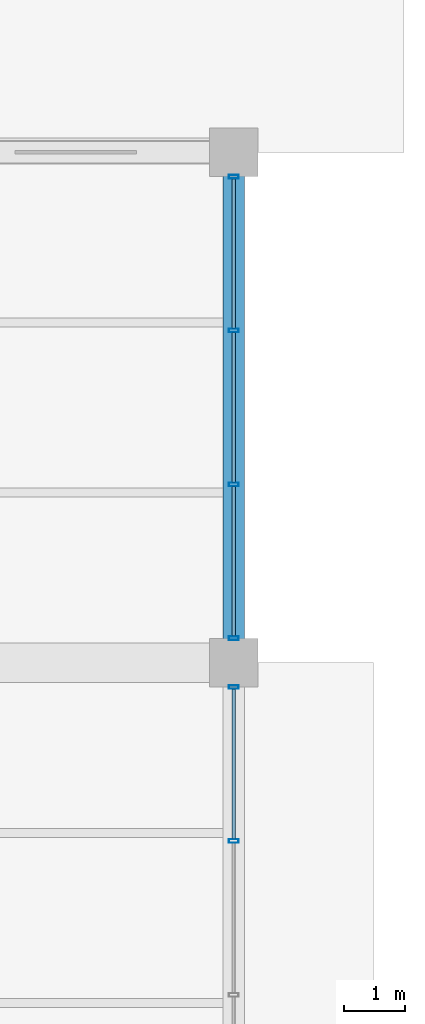
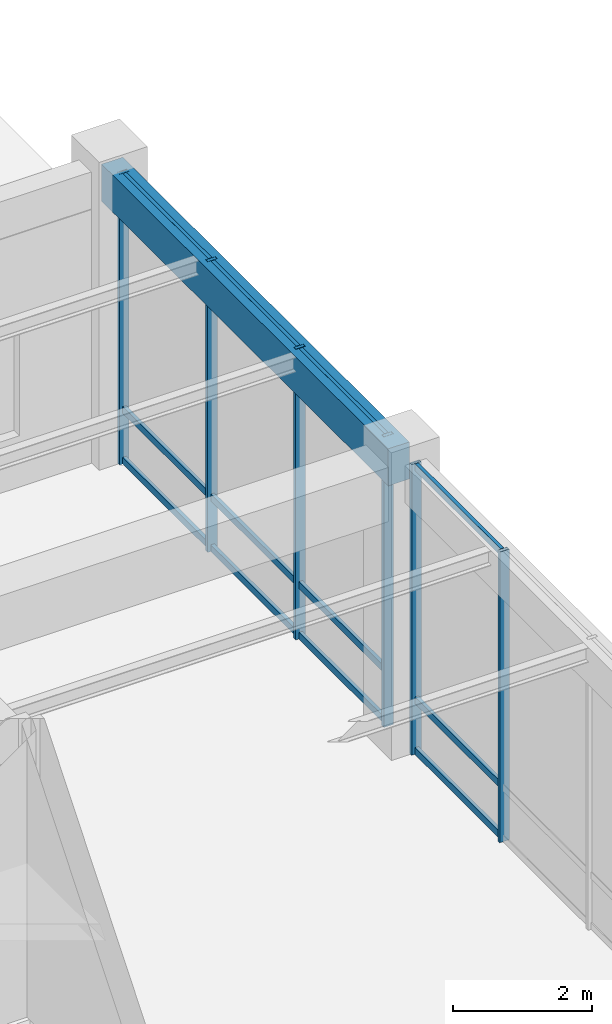
# One storey, part 91 of 157: 18 members, 1 beam, 2 elements without a shape of their own.
"""IFC4 building model written with IfcOpenShell, lengths in metres."""

from ifc_helpers import new_model, si_unit, direction, frame, origin, origin_2d, place, context, subcontext, project, spatial, rectangle, hollow_rectangle, extrude, material, material_profile, profile_set, type_object, element, aggregate, save


model = new_model("IFC4")

# Units and contexts
model_context = context("Model", 3, precision=1e-05, world=origin(), true_north=direction((0.0, 1.0)))
body_context = subcontext(model_context, "Body", "Model", "MODEL_VIEW")
ifc_project = project(units=[si_unit("LENGTHUNIT", "METRE"), si_unit("AREAUNIT", "SQUARE_METRE"), si_unit("VOLUMEUNIT", "CUBIC_METRE"), si_unit("PLANEANGLEUNIT", "RADIAN"), si_unit("MASSUNIT", "GRAM", prefix="KILO"), si_unit("THERMODYNAMICTEMPERATUREUNIT", "KELVIN"), si_unit("POWERUNIT", "WATT")], contexts=[model_context])

# Site, building, storey
site_placement = place(None, origin())
site = spatial("IfcSite", under=ifc_project, at=site_placement, CompositionType="ELEMENT")
building_placement = place(site_placement, origin())
building = spatial("IfcBuilding", under=site, at=building_placement, Name="Darbajah Civic Hall", CompositionType="ELEMENT")
storey_placement = place(building_placement, origin())
storey = spatial("IfcBuildingStorey", under=building, at=storey_placement, Name="L00", CompositionType="ELEMENT", Elevation=0.0)

# Curtain wall, members
ifc_material_1 = material(Name="Anodised Bronze Aluminium and Low-E Glazing", Category="aluminium")
curtain_wall_type = type_object("IfcCurtainWallType", Name="Unitised Curtain Wall CW-17 7600x5100", PredefinedType="USERDEFINED", material=ifc_material_1)
curtain_wall_1_placement = place(storey_placement, origin())
curtain_wall_1 = element("IfcCurtainWall", 1, at=curtain_wall_1_placement, inside=storey, type_object=curtain_wall_type, Name="L00 unitised curtain wall CW-V3-L00-S1-B3", ObjectType="UNITISED CURTAIN WALL", PredefinedType="USERDEFINED")
ifc_material_2 = material(Name="Anodised Bronze Aluminium", Category="aluminium")
ifc_material_profile_1 = material_profile(ifc_material_2, hollow_rectangle(XDim=0.06005859375, YDim=0.159912109375, WallThickness=0.00341796875, at=origin_2d()), Name="ALU MULLION 60x160")
ifc_profile_set_1 = profile_set([ifc_material_profile_1], Name="Anodised Bronze Aluminium")
member_type_1 = type_object("IfcMemberType", Name="ALU MULLION 60x160", PredefinedType="MULLION", material=ifc_profile_set_1)
member_1_placement = place(storey_placement, frame((178.199951171875, 30.666015625, 0.0), z_axis=(0.0, 0.0, 1.0), x_axis=(0.0, 1.0, 0.0)))
member_1 = element("IfcMember", 2, at=member_1_placement, type_object=member_type_1, Name="CW-V3-L00-S1-B3 mullion 3", PredefinedType="MULLION", context=body_context, shape_type="SweptSolid", body=[
    extrude(hollow_rectangle(XDim=0.06005859375, YDim=0.159912109375, WallThickness=0.00341796875, at=origin_2d()), origin(), (0.0, 0.0, 1.0), 5.10009765625),
])
member_2_placement = place(storey_placement, frame((178.199951171875, 33.197998046875, 0.0), z_axis=(0.0, 0.0, 1.0), x_axis=(0.0, 1.0, 0.0)))
member_2 = element("IfcMember", 3, at=member_2_placement, type_object=member_type_1, Name="CW-V3-L00-S1-B3 mullion 4", PredefinedType="MULLION", context=body_context, shape_type="SweptSolid", body=[
    extrude(hollow_rectangle(XDim=0.06005859375, YDim=0.159912109375, WallThickness=0.00341796875, at=origin_2d()), origin(), (0.0, 0.0, 1.0), 5.10009765625),
])

curtain_wall_2_placement = place(storey_placement, origin())
curtain_wall_2 = element("IfcCurtainWall", 4, at=curtain_wall_2_placement, inside=storey, type_object=curtain_wall_type, Name="L00 unitised curtain wall CW-V3-L00-S1-B4", ObjectType="UNITISED CURTAIN WALL", PredefinedType="USERDEFINED")
member_3_placement = place(storey_placement, frame((178.199951171875, 34.001953125, 0.0), z_axis=(0.0, 0.0, 1.0), x_axis=(0.0, 1.0, 0.0)))
member_3 = element("IfcMember", 5, at=member_3_placement, type_object=member_type_1, Name="CW-V3-L00-S1-B4 mullion 1", PredefinedType="MULLION", context=body_context, shape_type="SweptSolid", body=[
    extrude(hollow_rectangle(XDim=0.06005859375, YDim=0.159912109375, WallThickness=0.00341796875, at=origin_2d()), origin(), (0.0, 0.0, 1.0), 5.10009765625),
])
member_4_placement = place(storey_placement, frame((178.199951171875, 36.533935546875, 0.0), z_axis=(0.0, 0.0, 1.0), x_axis=(0.0, 1.0, 0.0)))
member_4 = element("IfcMember", 6, at=member_4_placement, type_object=member_type_1, Name="CW-V3-L00-S1-B4 mullion 2", PredefinedType="MULLION", context=body_context, shape_type="SweptSolid", body=[
    extrude(hollow_rectangle(XDim=0.06005859375, YDim=0.159912109375, WallThickness=0.00341796875, at=origin_2d()), origin(), (0.0, 0.0, 1.0), 5.10009765625),
])
member_5_placement = place(storey_placement, frame((178.199951171875, 39.06591796875, 0.0), z_axis=(0.0, 0.0, 1.0), x_axis=(0.0, 1.0, 0.0)))
member_5 = element("IfcMember", 7, at=member_5_placement, type_object=member_type_1, Name="CW-V3-L00-S1-B4 mullion 3", PredefinedType="MULLION", context=body_context, shape_type="SweptSolid", body=[
    extrude(hollow_rectangle(XDim=0.06005859375, YDim=0.159912109375, WallThickness=0.00341796875, at=origin_2d()), origin(), (0.0, 0.0, 1.0), 5.10009765625),
])
member_6_placement = place(storey_placement, frame((178.199951171875, 41.597900390625, 0.0), z_axis=(0.0, 0.0, 1.0), x_axis=(0.0, 1.0, 0.0)))
member_6 = element("IfcMember", 8, at=member_6_placement, type_object=member_type_1, Name="CW-V3-L00-S1-B4 mullion 4", PredefinedType="MULLION", context=body_context, shape_type="SweptSolid", body=[
    extrude(hollow_rectangle(XDim=0.06005859375, YDim=0.159912109375, WallThickness=0.00341796875, at=origin_2d()), origin(), (0.0, 0.0, 1.0), 5.10009765625),
])

# Member
ifc_material_profile_2 = material_profile(ifc_material_2, hollow_rectangle(XDim=0.06005859375, YDim=0.1201171875, WallThickness=0.003173828125, at=origin_2d()), Name="ALU TRANSOM 60x120")
ifc_profile_set_2 = profile_set([ifc_material_profile_2], Name="Anodised Bronze Aluminium")
member_type_2 = type_object("IfcMemberType", Name="ALU TRANSOM 60x120", PredefinedType="USERDEFINED", material=ifc_profile_set_2)
member_7_placement = place(storey_placement, frame((178.199951171875, 30.700927734375, 0.06005859375), z_axis=(0.0, 1.0, 0.0), x_axis=(-1.0, 0.0, 0.0)))
member_7 = element("IfcMember", 9, at=member_7_placement, type_object=member_type_2, Name="CW-V3-L00-S1-B3 transom 3.1", ObjectType="TRANSOM", PredefinedType="USERDEFINED", context=body_context, shape_type="SweptSolid", body=[
    extrude(hollow_rectangle(XDim=0.06005859375, YDim=0.1201171875, WallThickness=0.003173828125, at=origin_2d()), origin(), (0.0, 0.0, 1.0), 2.462158203125),
])

member_8_placement = place(storey_placement, frame((178.199951171875, 30.700927734375, 0.949951171875), z_axis=(0.0, 1.0, 0.0), x_axis=(-1.0, 0.0, 0.0)))
member_8 = element("IfcMember", 10, at=member_8_placement, type_object=member_type_2, Name="CW-V3-L00-S1-B3 transom 3.2", ObjectType="TRANSOM", PredefinedType="USERDEFINED", context=body_context, shape_type="SweptSolid", body=[
    extrude(hollow_rectangle(XDim=0.06005859375, YDim=0.1201171875, WallThickness=0.003173828125, at=origin_2d()), origin(), (0.0, 0.0, 1.0), 2.462158203125),
])

member_9_placement = place(storey_placement, frame((178.199951171875, 30.700927734375, 5.0400390625), z_axis=(0.0, 1.0, 0.0), x_axis=(-1.0, 0.0, 0.0)))
member_9 = element("IfcMember", 11, at=member_9_placement, type_object=member_type_2, Name="CW-V3-L00-S1-B3 transom 3.3", ObjectType="TRANSOM", PredefinedType="USERDEFINED", context=body_context, shape_type="SweptSolid", body=[
    extrude(hollow_rectangle(XDim=0.06005859375, YDim=0.1201171875, WallThickness=0.003173828125, at=origin_2d()), origin(), (0.0, 0.0, 1.0), 2.462158203125),
])

aggregate(curtain_wall_1, [member_1, member_2, member_7, member_8, member_9])

member_10_placement = place(storey_placement, frame((178.199951171875, 34.037109375, 0.06005859375), z_axis=(0.0, 1.0, 0.0), x_axis=(-1.0, 0.0, 0.0)))
member_10 = element("IfcMember", 12, at=member_10_placement, type_object=member_type_2, Name="CW-V3-L00-S1-B4 transom 1.1", ObjectType="TRANSOM", PredefinedType="USERDEFINED", context=body_context, shape_type="SweptSolid", body=[
    extrude(hollow_rectangle(XDim=0.06005859375, YDim=0.1201171875, WallThickness=0.003173828125, at=origin_2d()), origin(), (0.0, 0.0, 1.0), 2.4619140625),
])

member_11_placement = place(storey_placement, frame((178.199951171875, 34.037109375, 0.949951171875), z_axis=(0.0, 1.0, 0.0), x_axis=(-1.0, 0.0, 0.0)))
member_11 = element("IfcMember", 13, at=member_11_placement, type_object=member_type_2, Name="CW-V3-L00-S1-B4 transom 1.2", ObjectType="TRANSOM", PredefinedType="USERDEFINED", context=body_context, shape_type="SweptSolid", body=[
    extrude(hollow_rectangle(XDim=0.06005859375, YDim=0.1201171875, WallThickness=0.003173828125, at=origin_2d()), origin(), (0.0, 0.0, 1.0), 2.4619140625),
])

member_12_placement = place(storey_placement, frame((178.199951171875, 34.037109375, 5.0400390625), z_axis=(0.0, 1.0, 0.0), x_axis=(-1.0, 0.0, 0.0)))
member_12 = element("IfcMember", 14, at=member_12_placement, type_object=member_type_2, Name="CW-V3-L00-S1-B4 transom 1.3", ObjectType="TRANSOM", PredefinedType="USERDEFINED", context=body_context, shape_type="SweptSolid", body=[
    extrude(hollow_rectangle(XDim=0.06005859375, YDim=0.1201171875, WallThickness=0.003173828125, at=origin_2d()), origin(), (0.0, 0.0, 1.0), 2.4619140625),
])

member_13_placement = place(storey_placement, frame((178.199951171875, 36.569091796875, 0.06005859375), z_axis=(0.0, 1.0, 0.0), x_axis=(-1.0, 0.0, 0.0)))
member_13 = element("IfcMember", 15, at=member_13_placement, type_object=member_type_2, Name="CW-V3-L00-S1-B4 transom 2.1", ObjectType="TRANSOM", PredefinedType="USERDEFINED", context=body_context, shape_type="SweptSolid", body=[
    extrude(hollow_rectangle(XDim=0.06005859375, YDim=0.1201171875, WallThickness=0.003173828125, at=origin_2d()), origin(), (0.0, 0.0, 1.0), 2.4619140625),
])

member_14_placement = place(storey_placement, frame((178.199951171875, 36.569091796875, 0.949951171875), z_axis=(0.0, 1.0, 0.0), x_axis=(-1.0, 0.0, 0.0)))
member_14 = element("IfcMember", 16, at=member_14_placement, type_object=member_type_2, Name="CW-V3-L00-S1-B4 transom 2.2", ObjectType="TRANSOM", PredefinedType="USERDEFINED", context=body_context, shape_type="SweptSolid", body=[
    extrude(hollow_rectangle(XDim=0.06005859375, YDim=0.1201171875, WallThickness=0.003173828125, at=origin_2d()), origin(), (0.0, 0.0, 1.0), 2.4619140625),
])

member_15_placement = place(storey_placement, frame((178.199951171875, 36.569091796875, 5.0400390625), z_axis=(0.0, 1.0, 0.0), x_axis=(-1.0, 0.0, 0.0)))
member_15 = element("IfcMember", 17, at=member_15_placement, type_object=member_type_2, Name="CW-V3-L00-S1-B4 transom 2.3", ObjectType="TRANSOM", PredefinedType="USERDEFINED", context=body_context, shape_type="SweptSolid", body=[
    extrude(hollow_rectangle(XDim=0.06005859375, YDim=0.1201171875, WallThickness=0.003173828125, at=origin_2d()), origin(), (0.0, 0.0, 1.0), 2.4619140625),
])

member_16_placement = place(storey_placement, frame((178.199951171875, 39.10107421875, 0.06005859375), z_axis=(0.0, 1.0, 0.0), x_axis=(-1.0, 0.0, 0.0)))
member_16 = element("IfcMember", 18, at=member_16_placement, type_object=member_type_2, Name="CW-V3-L00-S1-B4 transom 3.1", ObjectType="TRANSOM", PredefinedType="USERDEFINED", context=body_context, shape_type="SweptSolid", body=[
    extrude(hollow_rectangle(XDim=0.06005859375, YDim=0.1201171875, WallThickness=0.003173828125, at=origin_2d()), origin(), (0.0, 0.0, 1.0), 2.4619140625),
])

member_17_placement = place(storey_placement, frame((178.199951171875, 39.10107421875, 0.949951171875), z_axis=(0.0, 1.0, 0.0), x_axis=(-1.0, 0.0, 0.0)))
member_17 = element("IfcMember", 19, at=member_17_placement, type_object=member_type_2, Name="CW-V3-L00-S1-B4 transom 3.2", ObjectType="TRANSOM", PredefinedType="USERDEFINED", context=body_context, shape_type="SweptSolid", body=[
    extrude(hollow_rectangle(XDim=0.06005859375, YDim=0.1201171875, WallThickness=0.003173828125, at=origin_2d()), origin(), (0.0, 0.0, 1.0), 2.4619140625),
])

member_18_placement = place(storey_placement, frame((178.199951171875, 39.10107421875, 5.0400390625), z_axis=(0.0, 1.0, 0.0), x_axis=(-1.0, 0.0, 0.0)))
member_18 = element("IfcMember", 20, at=member_18_placement, type_object=member_type_2, Name="CW-V3-L00-S1-B4 transom 3.3", ObjectType="TRANSOM", PredefinedType="USERDEFINED", context=body_context, shape_type="SweptSolid", body=[
    extrude(hollow_rectangle(XDim=0.06005859375, YDim=0.1201171875, WallThickness=0.003173828125, at=origin_2d()), origin(), (0.0, 0.0, 1.0), 2.4619140625),
])

aggregate(curtain_wall_2, [member_3, member_4, member_5, member_6, member_10, member_11, member_12, member_13, member_14, member_15, member_16, member_17, member_18])

# Beam
ifc_material_3 = material(Name="Concrete C45/55", Category="concrete")
ifc_material_profile_3 = material_profile(ifc_material_3, rectangle(XDim=0.35009765625, YDim=0.64990234375, at=origin_2d()), Name="RC SPANDREL 350x650")
ifc_profile_set_3 = profile_set([ifc_material_profile_3], Name="Concrete C45/55")
beam_type = type_object("IfcBeamType", Name="RC SPANDREL 350x650", PredefinedType="SPANDREL", material=ifc_profile_set_3)
beam_placement = place(storey_placement, frame((178.199951171875, 33.679931640625, 4.77490234375), z_axis=(0.0, 1.0, 0.0), x_axis=(-1.0, 0.0, 0.0)))
element("IfcBeam", 21, at=beam_placement, inside=storey, type_object=beam_type, Name="L00 beam SP-3565", PredefinedType="SPANDREL", context=body_context, shape_type="SweptSolid", body=[
    extrude(rectangle(XDim=0.35009765625, YDim=0.64990234375, at=origin_2d()), origin(), (0.0, 0.0, 1.0), 8.239990234375),
])

save(model, "model.ifc")
